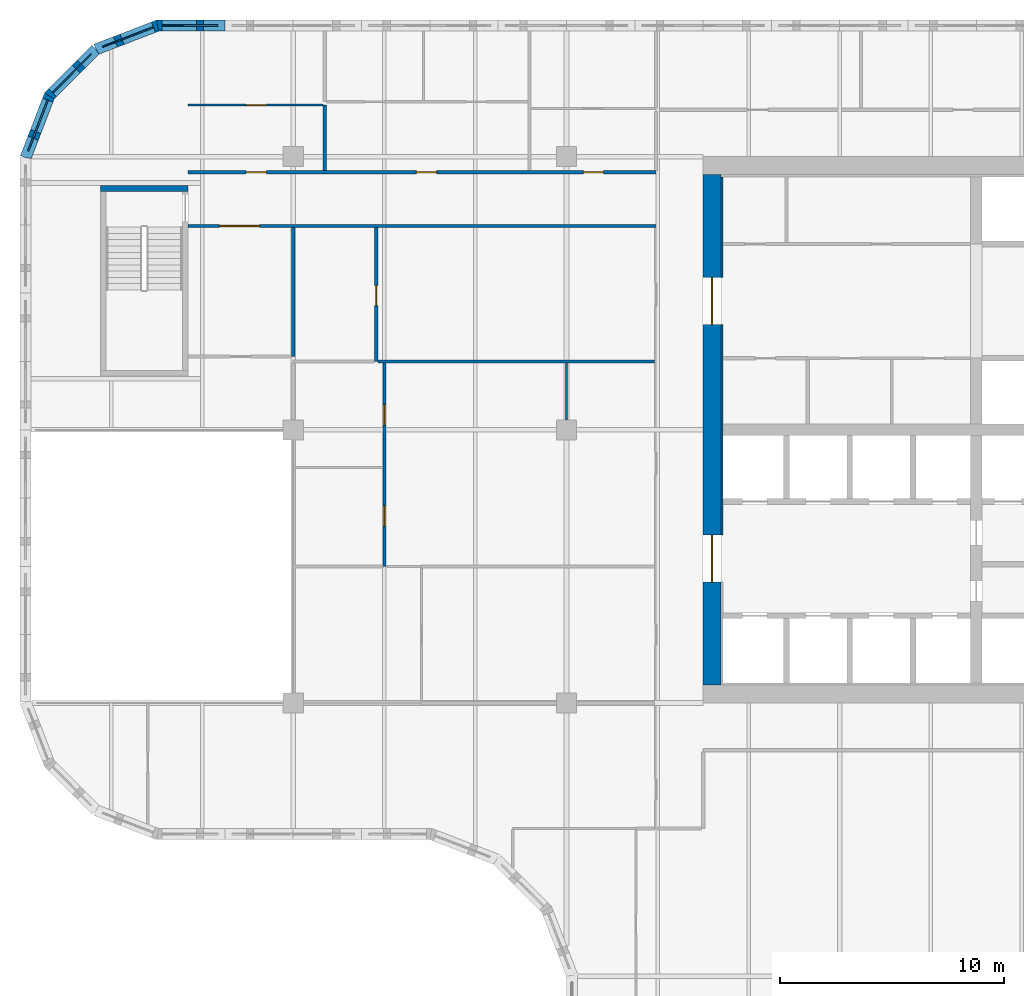
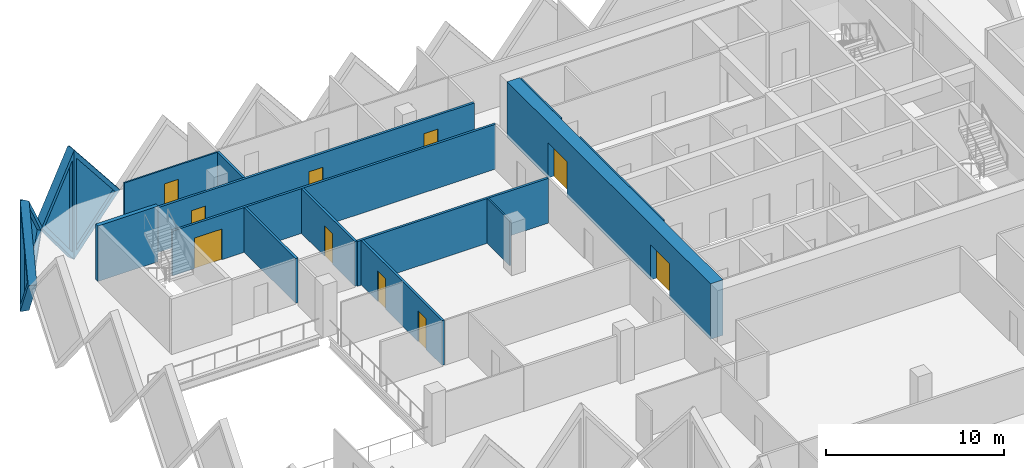
# One storey, part 8 of 18: 17 walls, 10 doors, 4 plates, 14 openings.
"""IFC4 building model written with IfcOpenShell, lengths in metres."""

from ifc_helpers import new_model, si_unit, direction, frame, frame_2d, origin, place, context, subcontext, project, spatial, polyline, rectangle, outline, extrude, faceted_brep, source, transform, mapped, material, layer, layer_set, type_object, element, fill, save


model = new_model("IFC4")

# Units and contexts
model_context = context("Model", 3, precision=1e-05, world=origin(), true_north=direction((0.0, 1.0)))
body_context = subcontext(model_context, "Body", "Model", "MODEL_VIEW")
ifc_project = project(units=[si_unit("LENGTHUNIT", "METRE"), si_unit("AREAUNIT", "SQUARE_METRE"), si_unit("VOLUMEUNIT", "CUBIC_METRE"), si_unit("PLANEANGLEUNIT", "RADIAN"), si_unit("MASSUNIT", "GRAM", prefix="KILO")], contexts=[model_context])

# Site, building, storey
site_placement = place(None, origin())
site = spatial("IfcSite", under=ifc_project, at=site_placement, CompositionType="ELEMENT")
building_placement = place(site_placement, origin())
building = spatial("IfcBuilding", under=site, at=building_placement, Name="Tessera Gate Towers", CompositionType="ELEMENT")
storey_placement = place(building_placement, frame((0.0, 0.0, 99.0)))
storey = spatial("IfcBuildingStorey", under=building, at=storey_placement, Name="L24", CompositionType="ELEMENT", Elevation=99.0)

# Wall
ifc_material_1 = material(Name="Concrete C40/50", Category="concrete")
ifc_layer_1 = layer(ifc_material_1, 0.25)
ifc_layer_set_1 = layer_set([ifc_layer_1], Name="CORE ENCLOSURE WALL 250")
wall_type_1 = type_object("IfcWallType", Name="CORE ENCLOSURE WALL 250", PredefinedType="SOLIDWALL", material=ifc_layer_set_1)
wall_1_placement = place(storey_placement, frame((3.60009765625, 47.375, 0.0), z_axis=(0.0, 0.0, 1.0), x_axis=(1.0, 0.0, 0.0)))
element("IfcWall", 1, at=wall_1_placement, inside=storey, type_object=wall_type_1, Name="L24 ST3 enclosure wall", PredefinedType="SOLIDWALL", context=body_context, shape_type="SweptSolid", body=[
    extrude(rectangle(XDim=3.89990234375, YDim=0.25, at=frame_2d((1.949951171875, 0.0))), origin(), (0.0, 0.0, 1.0), 3.800048828125),
])

# Wall, openings, doors
ifc_material_2 = material(Name="Concrete C60/75", Category="concrete")
ifc_layer_2 = layer(ifc_material_2, 0.800048828125)
ifc_layer_set_2 = layer_set([ifc_layer_2], Name="CORE SHEAR WALL 800 C60/75")
wall_type_2 = type_object("IfcWallType", Name="CORE SHEAR WALL 800 C60/75", PredefinedType="SHEAR", material=ifc_layer_set_2)
wall_2_placement = place(storey_placement, frame((30.89990234375, 25.199951171875, 0.0), z_axis=(0.0, 0.0, 1.0), x_axis=(0.0, 1.0, 0.0)))
wall_2 = element("IfcWall", 2, at=wall_2_placement, inside=storey, type_object=wall_type_2, Name="Core wall W L24", PredefinedType="SHEAR", context=body_context, shape_type="SweptSolid", body=[
    extrude(rectangle(XDim=22.800048828125, YDim=0.800048828125, at=frame_2d((11.39990234375, 0.0))), origin(), (0.0, 0.0, 1.0), 3.800048828125),
])
shared_shape_1 = source(origin(), body_context, "Body", "SweptSolid", [
    extrude(rectangle(XDim=2.10009765625, YDim=2.39990234375, at=frame_2d((1.050048828125, 1.199951171875))), frame((0.0, 0.409912109375, 0.0), z_axis=(0.0, -1.0, 0.0), x_axis=(1.0, 0.0, 0.0)), (0.0, 0.0, 1.0), 0.820068359375),
])
opening_1_placement = place(wall_2_placement, frame((4.60009765625, 0.0, 0.0)))
opening_1 = element("IfcOpeningElement", 3, at=opening_1_placement, cuts=wall_2, Name="Opening DD-T1-16-02", PredefinedType="OPENING", context=body_context, shape_type="MappedRepresentation", body=[
    mapped(shared_shape_1, transform((0.0, 0.0, 0.0), scale=1.0)),
])
opening_2_placement = place(wall_2_placement, frame((16.10009765625, 0.0, 0.0)))
opening_2 = element("IfcOpeningElement", 4, at=opening_2_placement, cuts=wall_2, Name="Opening DD-T1-16-03", PredefinedType="OPENING", context=body_context, shape_type="MappedRepresentation", body=[
    mapped(shared_shape_1, transform((0.0, 0.0, 0.0), scale=1.0)),
])
ifc_material_3 = material(Name="Hollow steel fire door", Category="steel")
door_type_1 = type_object("IfcDoorType", Name="CORE DOOR DD 2100x2400", OperationType="NOTDEFINED", PredefinedType="DOOR", material=ifc_material_3)
shared_shape_2 = source(origin(), body_context, "Body", "SweptSolid", [
    extrude(rectangle(XDim=2.10009765625, YDim=2.39990234375, at=frame_2d((1.050048828125, 1.199951171875))), frame((0.0, 0.02490234375, 0.0), z_axis=(0.0, -1.0, 0.0), x_axis=(1.0, 0.0, 0.0)), (0.0, 0.0, 1.0), 0.050048828125),
])
door_1_placement = place(opening_1_placement, origin())
door_1 = element("IfcDoor", 5, at=door_1_placement, inside=storey, type_object=door_type_1, Name="Core entrance door", OperationType="DOUBLE_DOOR_SINGLE_SWING", OverallHeight=2.39990234375, OverallWidth=2.10009765625, PredefinedType="DOOR", context=body_context, shape_type="MappedRepresentation", body=[
    mapped(shared_shape_2, transform((0.0, 0.0, 0.0), scale=1.0)),
])
fill(opening_1, door_1)
door_2_placement = place(opening_2_placement, origin())
door_2 = element("IfcDoor", 6, at=door_2_placement, inside=storey, type_object=door_type_1, Name="Core entrance door", OperationType="DOUBLE_DOOR_SINGLE_SWING", OverallHeight=2.39990234375, OverallWidth=2.10009765625, PredefinedType="DOOR", context=body_context, shape_type="MappedRepresentation", body=[
    mapped(shared_shape_2, transform((0.0, 0.0, 0.0), scale=1.0)),
])
fill(opening_2, door_2)

# Walls
ifc_material_4 = material(Name="Concrete C60/75", Category="concrete")
ifc_layer_3 = layer(ifc_material_4, 0.10009765625)
ifc_layer_set_3 = layer_set([ifc_layer_3], Name="CORE WALL THICKENING 100")
wall_type_3 = type_object("IfcWallType", Name="CORE WALL THICKENING 100", PredefinedType="SOLIDWALL", material=ifc_layer_set_3)
wall_3_placement = place(storey_placement, frame((31.35009765625, 31.89990234375, 0.0), z_axis=(0.0, 0.0, 1.0), x_axis=(0.0, 1.0, 0.0)))
element("IfcWall", 7, at=wall_3_placement, inside=storey, type_object=wall_type_3, Name="Core wall thickening W L24", PredefinedType="SOLIDWALL", context=body_context, shape_type="SweptSolid", body=[
    extrude(rectangle(XDim=9.400146484375, YDim=0.10009765625, at=frame_2d((4.7001953125, 0.0))), origin(), (0.0, 0.0, 1.0), 3.800048828125),
])
wall_4_placement = place(storey_placement, frame((31.35009765625, 43.39990234375, 0.0), z_axis=(0.0, 0.0, 1.0), x_axis=(0.0, 1.0, 0.0)))
element("IfcWall", 8, at=wall_4_placement, inside=storey, type_object=wall_type_3, Name="Core wall thickening W L24", PredefinedType="SOLIDWALL", context=body_context, shape_type="SweptSolid", body=[
    extrude(rectangle(XDim=4.5, YDim=0.10009765625, at=frame_2d((2.25, 0.0))), origin(), (0.0, 0.0, 1.0), 3.800048828125),
])

# Wall, opening, door
ifc_material_5 = material(Name="Gypsum board on steel studs, mineral wool", Category="steel")
ifc_layer_4 = layer(ifc_material_5, 0.14990234375)
ifc_layer_set_4 = layer_set([ifc_layer_4], Name="CORRIDOR WALL 150")
wall_type_4 = type_object("IfcWallType", Name="CORRIDOR WALL 150", PredefinedType="PARTITIONING", material=ifc_layer_set_4)
wall_5_placement = place(storey_placement, frame((28.39990234375, 45.699951171875, 0.0), z_axis=(0.0, 0.0, 1.0), x_axis=(-1.0, 0.0, 0.0)))
wall_5 = element("IfcWall", 9, at=wall_5_placement, inside=storey, type_object=wall_type_4, Name="T1-L24-PW-043", PredefinedType="PARTITIONING", context=body_context, shape_type="SweptSolid", body=[
    extrude(rectangle(XDim=20.89990234375, YDim=0.14990234375, at=frame_2d((10.449951171875, 0.0))), origin(), (0.0, 0.0, 1.0), 3.06689453125),
])
shared_shape_3 = source(origin(), body_context, "Body", "SweptSolid", [
    extrude(rectangle(XDim=1.800048828125, YDim=2.10009765625, at=frame_2d((0.89990234375, 1.050048828125))), frame((0.0, 0.0849609375, 0.0), z_axis=(0.0, -1.0, 0.0), x_axis=(1.0, 0.0, 0.0)), (0.0, 0.0, 1.0), 0.169921875),
])
opening_3_placement = place(wall_5_placement, frame((17.699951171875, 0.0, 0.0)))
opening_3 = element("IfcOpeningElement", 10, at=opening_3_placement, cuts=wall_5, Name="Opening D2180FD60-A09-01", PredefinedType="OPENING", context=body_context, shape_type="MappedRepresentation", body=[
    mapped(shared_shape_3, transform((0.0, 0.0, 0.0), scale=1.0)),
])
ifc_material_6 = material(Name="Timber door leaf in steel frame", Category="steel")
door_type_2 = type_object("IfcDoorType", Name="TENANCY ENTRANCE DOUBLE DOOR 1800 FD60", OperationType="NOTDEFINED", PredefinedType="DOOR", material=ifc_material_6)
shared_shape_4 = source(origin(), body_context, "Body", "SweptSolid", [
    extrude(rectangle(XDim=1.800048828125, YDim=2.10009765625, at=frame_2d((0.89990234375, 1.050048828125))), frame((0.0, 0.02490234375, 0.0), z_axis=(0.0, -1.0, 0.0), x_axis=(1.0, 0.0, 0.0)), (0.0, 0.0, 1.0), 0.050048828125),
])
door_3_placement = place(opening_3_placement, origin())
door_3 = element("IfcDoor", 11, at=door_3_placement, inside=storey, type_object=door_type_2, Name="T1-L24-PD-007", OperationType="DOUBLE_DOOR_SINGLE_SWING", OverallHeight=2.10009765625, OverallWidth=1.800048828125, PredefinedType="DOOR", context=body_context, shape_type="MappedRepresentation", body=[
    mapped(shared_shape_4, transform((0.0, 0.0, 0.0), scale=1.0)),
])
fill(opening_3, door_3)

# Wall, openings, doors
wall_6_placement = place(storey_placement, frame((7.5, 48.10009765625, 0.0), z_axis=(0.0, 0.0, 1.0), x_axis=(1.0, 0.0, 0.0)))
wall_6 = element("IfcWall", 12, at=wall_6_placement, inside=storey, type_object=wall_type_4, Name="T1-L24-PW-044", PredefinedType="PARTITIONING", context=body_context, shape_type="SweptSolid", body=[
    extrude(rectangle(XDim=20.89990234375, YDim=0.14990234375, at=frame_2d((10.449951171875, 0.0))), origin(), (0.0, 0.0, 1.0), 3.06689453125),
])
shared_shape_5 = source(origin(), body_context, "Body", "SweptSolid", [
    extrude(rectangle(XDim=0.89990234375, YDim=2.10009765625, at=frame_2d((0.449951171875, 1.050048828125))), frame((0.0, 0.0849609375, 0.0), z_axis=(0.0, -1.0, 0.0), x_axis=(1.0, 0.0, 0.0)), (0.0, 0.0, 1.0), 0.169921875),
])
opening_4_placement = place(wall_6_placement, frame((17.65087890625, 0.0, 0.0)))
opening_4 = element("IfcOpeningElement", 13, at=opening_4_placement, cuts=wall_6, Name="Opening D890FD60-A09-02", PredefinedType="OPENING", context=body_context, shape_type="MappedRepresentation", body=[
    mapped(shared_shape_5, transform((0.0, 0.0, 0.0), scale=1.0)),
])
opening_5_placement = place(wall_6_placement, frame((2.60009765625, 0.0, 0.0)))
opening_5 = element("IfcOpeningElement", 14, at=opening_5_placement, cuts=wall_6, Name="Opening D890FD60-A09-04", PredefinedType="OPENING", context=body_context, shape_type="MappedRepresentation", body=[
    mapped(shared_shape_5, transform((0.0, 0.0, 0.0), scale=1.0)),
])
opening_6_placement = place(wall_6_placement, frame((10.199951171875, 0.0, 0.0)))
opening_6 = element("IfcOpeningElement", 15, at=opening_6_placement, cuts=wall_6, Name="Opening D890FD60-A09-09", PredefinedType="OPENING", context=body_context, shape_type="MappedRepresentation", body=[
    mapped(shared_shape_5, transform((0.0, 0.0, 0.0), scale=1.0)),
])
ifc_material_7 = material(Name="Timber door leaf in steel frame", Category="steel")
door_type_3 = type_object("IfcDoorType", Name="CORRIDOR DOOR 900 FD60", OperationType="NOTDEFINED", PredefinedType="DOOR", material=ifc_material_7)
shared_shape_6 = source(origin(), body_context, "Body", "SweptSolid", [
    extrude(rectangle(XDim=0.89990234375, YDim=2.10009765625, at=frame_2d((0.449951171875, 1.050048828125))), frame((0.0, 0.02490234375, 0.0), z_axis=(0.0, -1.0, 0.0), x_axis=(1.0, 0.0, 0.0)), (0.0, 0.0, 1.0), 0.050048828125),
])
door_4_placement = place(opening_4_placement, origin())
door_4 = element("IfcDoor", 16, at=door_4_placement, inside=storey, type_object=door_type_3, Name="T1-L24-PD-010", OperationType="SINGLE_SWING_LEFT", OverallHeight=2.10009765625, OverallWidth=0.89990234375, PredefinedType="DOOR", context=body_context, shape_type="MappedRepresentation", body=[
    mapped(shared_shape_6, transform((0.0, 0.0, 0.0), scale=1.0)),
])
fill(opening_4, door_4)
door_5_placement = place(opening_5_placement, origin())
door_5 = element("IfcDoor", 17, at=door_5_placement, inside=storey, type_object=door_type_3, Name="T1-L24-PD-017", OperationType="SINGLE_SWING_LEFT", OverallHeight=2.10009765625, OverallWidth=0.89990234375, PredefinedType="DOOR", context=body_context, shape_type="MappedRepresentation", body=[
    mapped(shared_shape_6, transform((0.0, 0.0, 0.0), scale=1.0)),
])
fill(opening_5, door_5)
door_6_placement = place(opening_6_placement, origin())
door_6 = element("IfcDoor", 18, at=door_6_placement, inside=storey, type_object=door_type_3, Name="T1-L24-PD-028", OperationType="SINGLE_SWING_LEFT", OverallHeight=2.10009765625, OverallWidth=0.89990234375, PredefinedType="DOOR", context=body_context, shape_type="MappedRepresentation", body=[
    mapped(shared_shape_6, transform((0.0, 0.0, 0.0), scale=1.0)),
])
fill(opening_6, door_6)

# Wall
ifc_material_8 = material(Name="Gypsum board on steel studs", Category="steel")
ifc_layer_5 = layer(ifc_material_8, 0.10009765625)
ifc_layer_set_5 = layer_set([ifc_layer_5], Name="PARTITION 100")
wall_type_5 = type_object("IfcWallType", Name="PARTITION 100", PredefinedType="PARTITIONING", material=ifc_layer_set_5)
wall_7_placement = place(storey_placement, frame((24.39990234375, 37.050048828125, 0.0), z_axis=(0.0, 0.0, 1.0), x_axis=(0.0, 1.0, 0.0)))
element("IfcWall", 19, at=wall_7_placement, inside=storey, type_object=wall_type_5, Name="T1-L24-PW-037", PredefinedType="PARTITIONING", context=body_context, shape_type="SweptSolid", body=[
    extrude(rectangle(XDim=2.52490234375, YDim=0.10009765625, at=frame_2d((1.262451171875, 0.0))), origin(), (0.0, 0.0, 1.0), 3.06689453125),
])

# Wall, opening, door
wall_8_placement = place(storey_placement, frame((7.5, 51.10009765625, 0.0), z_axis=(0.0, 0.0, 1.0), x_axis=(1.0, 0.0, 0.0)))
wall_8 = element("IfcWall", 20, at=wall_8_placement, inside=storey, type_object=wall_type_5, Name="T1-L24-PW-053", PredefinedType="PARTITIONING", context=body_context, shape_type="SweptSolid", body=[
    extrude(rectangle(XDim=6.02392578125, YDim=0.10009765625, at=frame_2d((3.011962890625, 0.0))), origin(), (0.0, 0.0, 1.0), 3.06689453125),
])
shared_shape_7 = source(origin(), body_context, "Body", "SweptSolid", [
    extrude(rectangle(XDim=0.89990234375, YDim=2.10009765625, at=frame_2d((0.449951171875, 1.050048828125))), frame((0.0, 0.06005859375, 0.0), z_axis=(0.0, -1.0, 0.0), x_axis=(1.0, 0.0, 0.0)), (0.0, 0.0, 1.0), 0.1201171875),
])
opening_7_placement = place(wall_8_placement, frame((2.60009765625, 0.0, 0.0)))
opening_7 = element("IfcOpeningElement", 21, at=opening_7_placement, cuts=wall_8, Name="Opening D190-A09-09", PredefinedType="OPENING", context=body_context, shape_type="MappedRepresentation", body=[
    mapped(shared_shape_7, transform((0.0, 0.0, 0.0), scale=1.0)),
])
ifc_material_9 = material(Name="Timber door leaf in steel frame", Category="steel")
door_type_4 = type_object("IfcDoorType", Name="INTERNAL DOOR 900 NOT RATED", OperationType="NOTDEFINED", PredefinedType="DOOR", material=ifc_material_9)
door_7_placement = place(opening_7_placement, origin())
door_7 = element("IfcDoor", 22, at=door_7_placement, inside=storey, type_object=door_type_4, Name="T1-L24-PD-016", OperationType="SINGLE_SWING_LEFT", OverallHeight=2.10009765625, OverallWidth=0.89990234375, PredefinedType="DOOR", context=body_context, shape_type="MappedRepresentation", body=[
    mapped(shared_shape_6, transform((0.0, 0.0, 0.0), scale=1.0)),
])
fill(opening_7, door_7)

# Wall, openings, doors
ifc_material_10 = material(Name="Gypsum board on steel studs, mineral wool", Category="steel")
ifc_layer_6 = layer(ifc_material_10, 0.14990234375)
ifc_layer_set_6 = layer_set([ifc_layer_6], Name="TENANCY WALL 150")
wall_type_6 = type_object("IfcWallType", Name="TENANCY WALL 150", PredefinedType="PARTITIONING", material=ifc_layer_set_6)
wall_9_placement = place(storey_placement, frame((16.27490234375, 30.5, 0.0), z_axis=(0.0, 0.0, 1.0), x_axis=(0.0, 1.0, 0.0)))
wall_9 = element("IfcWall", 23, at=wall_9_placement, inside=storey, type_object=wall_type_6, Name="T1-L24-PW-032", PredefinedType="PARTITIONING", context=body_context, shape_type="SweptSolid", body=[
    extrude(rectangle(XDim=9.073974609375, YDim=0.14990234375, at=frame_2d((4.537109375, 0.0))), origin(), (0.0, 0.0, 1.0), 3.06689453125),
])
opening_8_placement = place(wall_9_placement, frame((1.800048828125, 0.0, 0.0)))
opening_8 = element("IfcOpeningElement", 24, at=opening_8_placement, cuts=wall_9, Name="Opening D190-A09-02", PredefinedType="OPENING", context=body_context, shape_type="MappedRepresentation", body=[
    mapped(shared_shape_5, transform((0.0, 0.0, 0.0), scale=1.0)),
])
opening_9_placement = place(wall_9_placement, frame((6.3203125, 0.0, 0.0)))
opening_9 = element("IfcOpeningElement", 25, at=opening_9_placement, cuts=wall_9, Name="Opening D190-A09-04", PredefinedType="OPENING", context=body_context, shape_type="MappedRepresentation", body=[
    mapped(shared_shape_5, transform((0.0, 0.0, 0.0), scale=1.0)),
])
door_8_placement = place(opening_8_placement, origin())
door_8 = element("IfcDoor", 26, at=door_8_placement, inside=storey, type_object=door_type_4, Name="T1-L24-PD-003", OperationType="SINGLE_SWING_LEFT", OverallHeight=2.10009765625, OverallWidth=0.89990234375, PredefinedType="DOOR", context=body_context, shape_type="MappedRepresentation", body=[
    mapped(shared_shape_6, transform((0.0, 0.0, 0.0), scale=1.0)),
])
fill(opening_8, door_8)
door_9_placement = place(opening_9_placement, origin())
door_9 = element("IfcDoor", 27, at=door_9_placement, inside=storey, type_object=door_type_4, Name="T1-L24-PD-005", OperationType="SINGLE_SWING_LEFT", OverallHeight=2.10009765625, OverallWidth=0.89990234375, PredefinedType="DOOR", context=body_context, shape_type="MappedRepresentation", body=[
    mapped(shared_shape_6, transform((0.0, 0.0, 0.0), scale=1.0)),
])
fill(opening_9, door_9)

# Wall, opening, door
wall_10_placement = place(storey_placement, frame((15.89990234375, 39.64990234375, 0.0), z_axis=(0.0, 0.0, 1.0), x_axis=(0.0, 1.0, 0.0)))
wall_10 = element("IfcWall", 28, at=wall_10_placement, inside=storey, type_object=wall_type_6, Name="T1-L24-PW-039", PredefinedType="PARTITIONING", context=body_context, shape_type="SweptSolid", body=[
    extrude(rectangle(XDim=5.97412109375, YDim=0.14990234375, at=frame_2d((2.987060546875, 0.0))), origin(), (0.0, 0.0, 1.0), 3.06689453125),
])
opening_10_placement = place(wall_10_placement, frame((2.5, 0.0, 0.0)))
opening_10 = element("IfcOpeningElement", 29, at=opening_10_placement, cuts=wall_10, Name="Opening D190-A09-08", PredefinedType="OPENING", context=body_context, shape_type="MappedRepresentation", body=[
    mapped(shared_shape_5, transform((0.0, 0.0, 0.0), scale=1.0)),
])
door_10_placement = place(opening_10_placement, origin())
door_10 = element("IfcDoor", 30, at=door_10_placement, inside=storey, type_object=door_type_4, Name="T1-L24-PD-014", OperationType="SINGLE_SWING_LEFT", OverallHeight=2.10009765625, OverallWidth=0.89990234375, PredefinedType="DOOR", context=body_context, shape_type="MappedRepresentation", body=[
    mapped(shared_shape_6, transform((0.0, 0.0, 0.0), scale=1.0)),
])
fill(opening_10, door_10)

# Walls
wall_11_placement = place(storey_placement, frame((15.97607421875, 39.64990234375, 0.0), z_axis=(0.0, 0.0, 1.0), x_axis=(1.0, 0.0, 0.0)))
element("IfcWall", 31, at=wall_11_placement, inside=storey, type_object=wall_type_6, Name="T1-L24-PW-040", PredefinedType="PARTITIONING", context=body_context, shape_type="SweptSolid", body=[
    extrude(rectangle(XDim=12.347900390625, YDim=0.14990234375, at=frame_2d((6.173828125, 0.0))), origin(), (0.0, 0.0, 1.0), 3.06689453125),
])
wall_12_placement = place(storey_placement, frame((12.199951171875, 39.875, 0.0), z_axis=(0.0, 0.0, 1.0), x_axis=(0.0, 1.0, 0.0)))
element("IfcWall", 32, at=wall_12_placement, inside=storey, type_object=wall_type_6, Name="T1-L24-PW-042", PredefinedType="PARTITIONING", context=body_context, shape_type="SweptSolid", body=[
    extrude(rectangle(XDim=5.7490234375, YDim=0.14990234375, at=frame_2d((2.87451171875, 0.0))), origin(), (0.0, 0.0, 1.0), 3.06689453125),
])
wall_13_placement = place(storey_placement, frame((13.60009765625, 48.176025390625, 0.0), z_axis=(0.0, 0.0, 1.0), x_axis=(0.0, 1.0, 0.0)))
element("IfcWall", 33, at=wall_13_placement, inside=storey, type_object=wall_type_6, Name="T1-L24-PW-045", PredefinedType="PARTITIONING", context=body_context, shape_type="SweptSolid", body=[
    extrude(rectangle(XDim=2.924072265625, YDim=0.14990234375, at=frame_2d((1.4619140625, 0.0))), origin(), (0.0, 0.0, 1.0), 3.06689453125),
])

# Wall, opening, plate
ifc_material_11 = material(Name="Precast concrete C60/75 white", Category="concrete")
ifc_layer_7 = layer(ifc_material_11, 0.5)
ifc_layer_set_7 = layer_set([ifc_layer_7], Name="TS3 corner tessera")
wall_type_7 = type_object("IfcWallType", Name="TS3 corner tessera", PredefinedType="SOLIDWALL", material=ifc_layer_set_7)
shared_shape_8 = source(origin(), body_context, "Body", "Brep", [
    faceted_brep([(3.00341796875, -0.25, 0.0), (3.050048828125, -0.25, 0.06005859375), (3.050048828125, -0.25, 7.5400390625), (3.00341796875, -0.25, 7.60009765625), (0.0, -0.25, 3.800048828125), (0.0, 0.25, 3.800048828125), (2.956787109375, 0.25, 7.541259765625), (2.956787109375, 0.25, 0.058837890625), (3.00341796875, 0.000244140625, 0.0), (3.00341796875, 0.000244140625, 7.60009765625)], [[[0, 1, 2, 3, 4]], [[5, 6, 7]], [[1, 0, 8]], [[9, 3, 2]], [[6, 5, 4, 3, 9]], [[5, 7, 8, 0, 4]], [[1, 8, 7, 6, 9, 2]]]),
])
wall_14_placement = place(storey_placement, frame((9.14990234375, 54.64990234375, -3.800048828125), z_axis=(0.0, 0.0, 1.0), x_axis=(-1.0, 0.0, 0.0)))
wall_14 = element("IfcWall", 34, at=wall_14_placement, inside=storey, type_object=wall_type_7, Name="Precast corner tessera T1 TS3-0539", PredefinedType="SOLIDWALL", context=body_context, shape_type="MappedRepresentation", body=[
    mapped(shared_shape_8, transform((0.0, 0.0, 0.0), scale=1.0)),
])
shared_shape_9 = source(origin(), body_context, "Body", "SweptSolid", [
    extrude(outline(polyline([(2.803466796875, 6.94384765625), (0.318603515625, 3.800048828125), (2.803466796875, 0.65625), (2.803466796875, 6.94384765625)])), frame((0.0, 0.260009765625, 0.0), z_axis=(0.0, -1.0, 0.0), x_axis=(1.0, 0.0, 0.0)), (0.0, 0.0, 1.0), 0.52001953125),
])
opening_11_placement = place(wall_14_placement, origin())
opening_11 = element("IfcOpeningElement", 35, at=opening_11_placement, cuts=wall_14, Name="Opening T1-PL2-0826", PredefinedType="OPENING", context=body_context, shape_type="MappedRepresentation", body=[
    mapped(shared_shape_9, transform((0.0, 0.0, 0.0), scale=1.0)),
])
ifc_material_12 = material(Name="Low-e laminated glass", Category="glass")
ifc_layer_8 = layer(ifc_material_12, 0.06005859375)
ifc_layer_set_8 = layer_set([ifc_layer_8], Name="PL2 rhombic pane")
plate_type = type_object("IfcPlateType", Name="PL2 rhombic pane", PredefinedType="SHEET", material=ifc_layer_set_8)
shared_shape_10 = source(origin(), body_context, "Body", "SweptSolid", [
    extrude(outline(polyline([(2.803466796875, 6.94384765625), (0.318603515625, 3.800048828125), (2.803466796875, 0.65625), (2.803466796875, 6.94384765625)])), frame((0.0, 0.030029296875, 0.0), z_axis=(0.0, -1.0, 0.0), x_axis=(1.0, 0.0, 0.0)), (0.0, 0.0, 1.0), 0.06005859375),
])
plate_1_placement = place(opening_11_placement, origin())
plate_1 = element("IfcPlate", 36, at=plate_1_placement, inside=storey, type_object=plate_type, Name="Glass pane T1 PL2-0826", PredefinedType="SHEET", context=body_context, shape_type="MappedRepresentation", body=[
    mapped(shared_shape_10, transform((0.0, 0.0, 0.0), scale=1.0)),
])
fill(opening_11, plate_1)

shared_shape_11 = source(origin(), body_context, "Body", "Brep", [
    faceted_brep([(0.046630859375, -0.25, 0.0), (2.9970703125, -0.25, 3.800048828125), (0.046630859375, -0.25, 7.60009765625), (0.0, -0.25, 7.541259765625), (0.0, -0.25, 0.058837890625), (0.09326171875, 0.25, 7.5400390625), (2.9443359375, 0.25, 3.8681640625), (2.9443359375, 0.25, 3.73193359375), (0.09326171875, 0.25, 0.06005859375), (2.9970703125, 0.00048828125, 3.800048828125), (0.046630859375, 0.0, 0.0), (0.046630859375, 0.0, 7.60009765625)], [[[0, 1, 2, 3, 4]], [[5, 6, 7, 8]], [[8, 7, 9, 1, 0, 10]], [[6, 5, 11, 2, 1, 9]], [[3, 2, 11]], [[10, 0, 4]], [[8, 10, 4, 3, 11, 5]], [[9, 7, 6]]]),
])
wall_15_placement = place(storey_placement, frame((6.18994140625, 54.666748046875, -3.800048828125), z_axis=(0.0, 0.0, 1.0), x_axis=(-0.932990326376, -0.359901446078, 0.0)))
wall_15 = element("IfcWall", 37, at=wall_15_placement, inside=storey, type_object=wall_type_7, Name="Precast corner tessera T1 TS3-0540", PredefinedType="SOLIDWALL", context=body_context, shape_type="MappedRepresentation", body=[
    mapped(shared_shape_11, transform((0.0, 0.0, 0.0), scale=1.0)),
])
shared_shape_12 = source(origin(), body_context, "Body", "SweptSolid", [
    extrude(outline(polyline([(0.24658203125, 0.665283203125), (2.6806640625, 3.800048828125), (0.24658203125, 6.934814453125), (0.24658203125, 0.665283203125)])), frame((0.0, 0.260009765625, 0.0), z_axis=(0.0, -1.0, 0.0), x_axis=(1.0, 0.0, 0.0)), (0.0, 0.0, 1.0), 0.52001953125),
])
opening_12_placement = place(wall_15_placement, origin())
opening_12 = element("IfcOpeningElement", 38, at=opening_12_placement, cuts=wall_15, Name="Opening T1-PL2-0827", PredefinedType="OPENING", context=body_context, shape_type="MappedRepresentation", body=[
    mapped(shared_shape_12, transform((0.0, 0.0, 0.0), scale=1.0)),
])
shared_shape_13 = source(origin(), body_context, "Body", "SweptSolid", [
    extrude(outline(polyline([(0.24658203125, 0.665283203125), (2.6806640625, 3.800048828125), (0.24658203125, 6.934814453125), (0.24658203125, 0.665283203125)])), frame((0.0, 0.030029296875, 0.0), z_axis=(0.0, -1.0, 0.0), x_axis=(1.0, 0.0, 0.0)), (0.0, 0.0, 1.0), 0.06005859375),
])
plate_2_placement = place(opening_12_placement, origin())
plate_2 = element("IfcPlate", 39, at=plate_2_placement, inside=storey, type_object=plate_type, Name="Glass pane T1 PL2-0827", PredefinedType="SHEET", context=body_context, shape_type="MappedRepresentation", body=[
    mapped(shared_shape_13, transform((0.0, 0.0, 0.0), scale=1.0)),
])
fill(opening_12, plate_2)

shared_shape_14 = source(origin(), body_context, "Body", "Brep", [
    faceted_brep([(0.052978515625, -0.25, 0.0), (3.00341796875, -0.25, 3.800048828125), (0.052978515625, -0.25, 7.60009765625), (0.0, -0.25, 7.53173828125), (0.0, -0.25, 0.068359375), (0.10595703125, 0.25, 7.531982421875), (2.95703125, 0.25, 3.85986328125), (2.95703125, 0.25, 3.740234375), (0.10595703125, 0.25, 0.068115234375), (3.00341796875, 0.00048828125, 3.800048828125), (0.052978515625, 0.0, 0.0), (0.052978515625, 0.0, 7.60009765625)], [[[0, 1, 2, 3, 4]], [[5, 6, 7, 8]], [[8, 7, 9, 1, 0, 10]], [[6, 5, 11, 2, 1, 9]], [[3, 2, 11]], [[10, 0, 4]], [[8, 10, 4, 3, 11, 5]], [[9, 7, 6]]]),
])
wall_16_placement = place(storey_placement, frame((1.3310546875, 51.5556640625, -3.800048828125), z_axis=(0.0, 0.0, 1.0), x_axis=(-0.35992665181, -0.932980602862, 0.0)))
wall_16 = element("IfcWall", 40, at=wall_16_placement, inside=storey, type_object=wall_type_7, Name="Precast corner tessera T1 TS3-0542", PredefinedType="SOLIDWALL", context=body_context, shape_type="MappedRepresentation", body=[
    mapped(shared_shape_14, transform((0.0, 0.0, 0.0), scale=1.0)),
])
shared_shape_15 = source(origin(), body_context, "Body", "SweptSolid", [
    extrude(outline(polyline([(0.2529296875, 0.665283203125), (2.68701171875, 3.800048828125), (0.2529296875, 6.934814453125), (0.2529296875, 0.665283203125)])), frame((0.0, 0.260009765625, 0.0), z_axis=(0.0, -1.0, 0.0), x_axis=(1.0, 0.0, 0.0)), (0.0, 0.0, 1.0), 0.52001953125),
])
opening_13_placement = place(wall_16_placement, origin())
opening_13 = element("IfcOpeningElement", 41, at=opening_13_placement, cuts=wall_16, Name="Opening T1-PL2-0829", PredefinedType="OPENING", context=body_context, shape_type="MappedRepresentation", body=[
    mapped(shared_shape_15, transform((0.0, 0.0, 0.0), scale=1.0)),
])
shared_shape_16 = source(origin(), body_context, "Body", "SweptSolid", [
    extrude(outline(polyline([(0.2529296875, 0.665283203125), (2.68701171875, 3.800048828125), (0.2529296875, 6.934814453125), (0.2529296875, 0.665283203125)])), frame((0.0, 0.030029296875, 0.0), z_axis=(0.0, -1.0, 0.0), x_axis=(1.0, 0.0, 0.0)), (0.0, 0.0, 1.0), 0.06005859375),
])
plate_3_placement = place(opening_13_placement, origin())
plate_3 = element("IfcPlate", 42, at=plate_3_placement, inside=storey, type_object=plate_type, Name="Glass pane T1 PL2-0829", PredefinedType="SHEET", context=body_context, shape_type="MappedRepresentation", body=[
    mapped(shared_shape_16, transform((0.0, 0.0, 0.0), scale=1.0)),
])
fill(opening_13, plate_3)

shared_shape_17 = source(origin(), body_context, "Body", "Brep", [
    faceted_brep([(2.944091796875, -0.25, 0.0), (2.9970703125, -0.25, 0.068115234375), (2.9970703125, -0.25, 7.531982421875), (2.944091796875, -0.25, 7.60009765625), (0.0, -0.25, 3.800048828125), (0.052978515625, 0.25, 3.868408203125), (2.89111328125, 0.25, 7.531982421875), (2.89111328125, 0.25, 0.068115234375), (0.052978515625, 0.25, 3.731689453125), (2.944091796875, 0.000244140625, 0.0), (2.944091796875, 0.000244140625, 7.60009765625), (0.0, 0.0, 3.800048828125)], [[[0, 1, 2, 3, 4]], [[5, 6, 7, 8]], [[1, 0, 9]], [[10, 3, 2]], [[6, 5, 11, 4, 3, 10]], [[8, 7, 9, 0, 4, 11]], [[8, 11, 5]], [[1, 9, 7, 6, 10, 2]]]),
])
wall_17_placement = place(storey_placement, frame((3.393798828125, 53.588134765625, -3.800048828125), z_axis=(0.0, 0.0, 1.0), x_axis=(-0.707106781187, -0.707106781187, 0.0)))
wall_17 = element("IfcWall", 43, at=wall_17_placement, inside=storey, type_object=wall_type_7, Name="Precast corner tessera T1 TS3-0541", PredefinedType="SOLIDWALL", context=body_context, shape_type="MappedRepresentation", body=[
    mapped(shared_shape_17, transform((0.0, 0.0, 0.0), scale=1.0)),
])
shared_shape_18 = source(origin(), body_context, "Body", "SweptSolid", [
    extrude(outline(polyline([(2.744140625, 6.933837890625), (0.316162109375, 3.800048828125), (2.744140625, 0.666259765625), (2.744140625, 6.933837890625)])), frame((0.0, 0.260009765625, 0.0), z_axis=(0.0, -1.0, 0.0), x_axis=(1.0, 0.0, 0.0)), (0.0, 0.0, 1.0), 0.52001953125),
])
opening_14_placement = place(wall_17_placement, origin())
opening_14 = element("IfcOpeningElement", 44, at=opening_14_placement, cuts=wall_17, Name="Opening T1-PL2-0828", PredefinedType="OPENING", context=body_context, shape_type="MappedRepresentation", body=[
    mapped(shared_shape_18, transform((0.0, 0.0, 0.0), scale=1.0)),
])
shared_shape_19 = source(origin(), body_context, "Body", "SweptSolid", [
    extrude(outline(polyline([(2.744140625, 6.933837890625), (0.316162109375, 3.800048828125), (2.744140625, 0.666259765625), (2.744140625, 6.933837890625)])), frame((0.0, 0.030029296875, 0.0), z_axis=(0.0, -1.0, 0.0), x_axis=(1.0, 0.0, 0.0)), (0.0, 0.0, 1.0), 0.06005859375),
])
plate_4_placement = place(opening_14_placement, origin())
plate_4 = element("IfcPlate", 45, at=plate_4_placement, inside=storey, type_object=plate_type, Name="Glass pane T1 PL2-0828", PredefinedType="SHEET", context=body_context, shape_type="MappedRepresentation", body=[
    mapped(shared_shape_19, transform((0.0, 0.0, 0.0), scale=1.0)),
])
fill(opening_14, plate_4)

save(model, "model.ifc")
